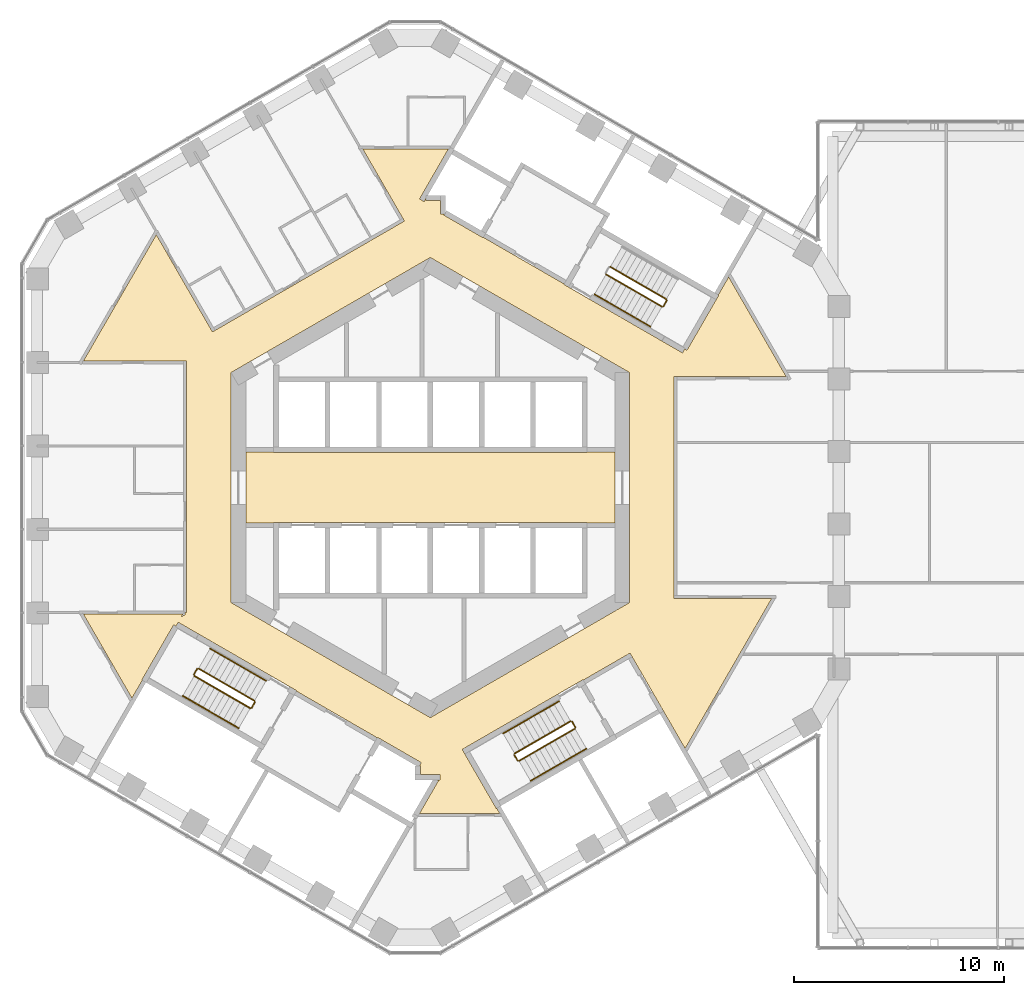
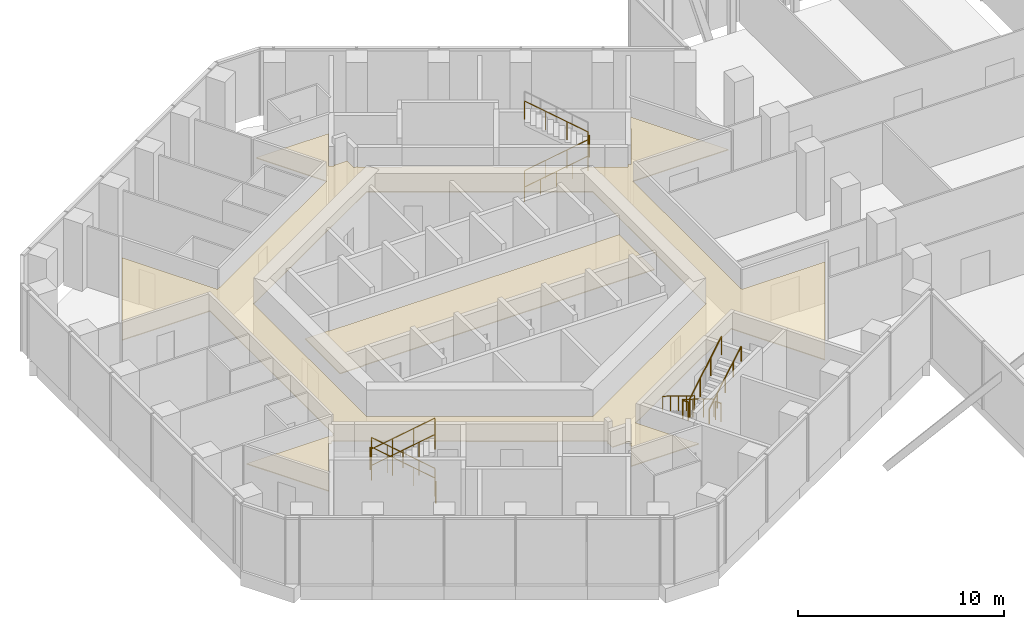
# One storey, part 23 of 24: 21 railings, 2 coverings.
"""IFC4 building model written with IfcOpenShell, lengths in metres."""

from ifc_helpers import new_model, si_unit, direction, frame, origin, origin_2d, place, context, subcontext, project, spatial, polyline, circle, outline, extrude, material, layer, layer_set, type_object, element, save


model = new_model("IFC4")

# Units and contexts
model_context = context("Model", 3, precision=1e-05, world=origin(), true_north=direction((0.0, 1.0)))
body_context = subcontext(model_context, "Body", "Model", "MODEL_VIEW")
ifc_project = project(units=[si_unit("LENGTHUNIT", "METRE"), si_unit("AREAUNIT", "SQUARE_METRE"), si_unit("VOLUMEUNIT", "CUBIC_METRE"), si_unit("PLANEANGLEUNIT", "RADIAN"), si_unit("MASSUNIT", "GRAM", prefix="KILO")], contexts=[model_context])

# Site, building, storey
site_placement = place(None, origin())
site = spatial("IfcSite", under=ifc_project, at=site_placement, CompositionType="ELEMENT")
building_placement = place(site_placement, origin())
building = spatial("IfcBuilding", under=site, at=building_placement, Name="Ayvan Gate Tower", CompositionType="ELEMENT")
storey_placement = place(building_placement, frame((0.0, 0.0, 124.5)))
storey = spatial("IfcBuildingStorey", under=building, at=storey_placement, Name="L33", CompositionType="ELEMENT", Elevation=124.5)

# Coverings
ifc_material_1 = material(Name="Plasterboard suspended ceiling")
ifc_layer = layer(ifc_material_1, 0.050048828125)
ifc_layer_set = layer_set([ifc_layer], Name="Plasterboard suspended ceiling")
covering_type = type_object("IfcCoveringType", Name="CT-SUSP-50", PredefinedType="CEILING", material=ifc_layer_set)
covering_1_placement = place(storey_placement, frame((0.0, 0.0, 2.39990234375)))
element("IfcCovering", 1, at=covering_1_placement, inside=storey, type_object=covering_type, Name="Ceiling Lift Lobby L33", PredefinedType="CEILING", context=body_context, shape_type="SweptSolid", body=[
    extrude(outline(polyline([(7.47509765625, -1.675048828125), (-7.47509765625, -1.675048828125), (-7.47509765625, -1.699951171875), (-8.800048828125, -1.699951171875), (-8.800048828125, 1.699951171875), (-7.47509765625, 1.699951171875), (-7.47509765625, 1.675048828125), (7.47509765625, 1.675048828125), (7.47509765625, 1.699951171875), (8.800048828125, 1.699951171875), (8.800048828125, -1.699951171875), (7.47509765625, -1.699951171875), (7.47509765625, -1.675048828125)])), origin(), (0.0, 0.0, 1.0), 0.050048828125),
])
covering_2_placement = place(storey_placement, frame((0.0, 0.0, 2.39990234375)))
element("IfcCovering", 2, at=covering_2_placement, inside=storey, type_object=covering_type, Name="Ceiling Ring Corridor L33", PredefinedType="CEILING", context=body_context, shape_type="SweptSolid", body=[
    extrude(outline(polyline([(-14.22802734375, -10.043701171875), (-16.541748046875, -6.0361328125), (-11.798828125, -6.0361328125), (-11.870849609375, -6.160888671875), (-11.699951171875, -6.062255859375), (-11.699951171875, -5.961181640625), (-11.625, -5.961181640625), (-11.625, 6.0361328125), (-16.541748046875, 6.0361328125), (-13.064697265625, 12.05859375), (-10.3896484375, 7.425048828125), (-10.277099609375, 7.489990234375), (-1.235595703125, 12.710205078125), (-1.300537109375, 12.82275390625), (-3.2177734375, 16.143798828125), (0.8623046875, 16.143798828125), (-0.511474609375, 13.76416015625), (-0.294921875, 13.63916015625), (-0.215576171875, 13.776611328125), (-0.215576171875, 13.68505859375), (0.47509765625, 13.68505859375), (0.47509765625, 13.03857421875), (0.672119140625, 13.03857421875), (0.645751953125, 12.992919921875), (2.518310546875, 11.91162109375), (2.53076171875, 11.933349609375), (6.384521484375, 9.70849609375), (6.3720703125, 9.686767578125), (6.588623046875, 9.561767578125), (11.03759765625, 6.9931640625), (12.02294921875, 6.42431640625), (12.130126953125, 6.60986328125), (12.23828125, 6.54736328125), (13.631103515625, 8.959716796875), (13.756103515625, 9.176513671875), (13.734619140625, 9.188720703125), (14.22802734375, 10.043701171875), (16.975341796875, 5.28515625), (11.625, 5.28515625), (11.625, -5.28515625), (16.28271484375, -5.28515625), (12.149658203125, -12.443603515625), (11.123779296875, -10.667236328125), (9.623779296875, -8.069091796875), (9.52392578125, -7.89599609375), (7.2939453125, -9.183349609375), (7.281494140625, -9.16162109375), (1.522216796875, -12.48681640625), (1.647216796875, -12.703369140625), (3.147216796875, -15.30126953125), (3.1689453125, -15.288818359375), (3.316162109375, -15.543701171875), (-0.51611328125, -15.543701171875), (0.386474609375, -13.980712890625), (0.30712890625, -13.93505859375), (0.465576171875, -13.93505859375), (0.465576171875, -13.68505859375), (-0.47509765625, -13.68505859375), (-0.47509765625, -13.28857421875), (-0.52783203125, -13.28857421875), (-0.42919921875, -13.117919921875), (-2.284423828125, -12.046630859375), (-2.518310546875, -11.91162109375), (-2.53076171875, -11.933349609375), (-6.384521484375, -9.70849609375), (-6.3720703125, -9.686767578125), (-11.03759765625, -6.9931640625), (-12.02294921875, -6.42431640625), (-12.130126953125, -6.60986328125), (-12.23828125, -6.54736328125), (-13.756103515625, -9.17626953125), (-13.734619140625, -9.188720703125), (-14.22802734375, -10.043701171875)]), holes=[polyline([(-8.771728515625, -5.9052734375), (0.0, -10.9697265625), (8.38720703125, -6.127197265625), (8.771728515625, -5.9052734375), (9.5, -5.48486328125), (9.5, 5.48486328125), (8.771728515625, 5.9052734375), (0.0, 10.9697265625), (-8.771728515625, 5.9052734375), (-9.5, 5.48486328125), (-9.5, -5.48486328125), (-8.771728515625, -5.9052734375)])]), origin(), (0.0, 0.0, 1.0), 0.050048828125),
])

# Railings
ifc_material_2 = material(Name="Stainless steel balustrade", Category="steel")
railing_type_1 = type_object("IfcRailingType", Name="RL-GUARD-1100", PredefinedType="GUARDRAIL", material=ifc_material_2)
railing_1_placement = place(storey_placement, frame((8.381103515625, 10.16650390625, 0.166748046875)))
element("IfcRailing", 3, at=railing_1_placement, inside=storey, type_object=railing_type_1, Name="L33 STS1 stair guard 1", PredefinedType="GUARDRAIL", context=body_context, shape_type="SweptSolid", body=[
    extrude(circle(Radius=0.02392578125, at=origin_2d()), frame((0.0, 0.0, 1.076171875), z_axis=(0.744189839504, -0.429649414936, 0.511451721109), x_axis=(0.499992328818, 0.866029832698, 0.0)), (0.0, 0.0, 1.0), 3.58447265625),
    extrude(circle(Radius=0.02099609375, at=origin_2d()), origin(), (0.0, 0.0, 1.0), 1.052001953125),
    extrude(circle(Radius=0.02099609375, at=origin_2d()), frame((0.88916015625, -0.513427734375, 0.611083984375)), (0.0, 0.0, 1.0), 1.052001953125),
    extrude(circle(Radius=0.02099609375, at=origin_2d()), frame((1.7783203125, -1.026611328125, 1.22216796875)), (0.0, 0.0, 1.0), 1.052001953125),
    extrude(circle(Radius=0.02099609375, at=origin_2d()), frame((2.66748046875, -1.5400390625, 1.833251953125)), (0.0, 0.0, 1.0), 1.052001953125),
])
railing_2_placement = place(storey_placement, frame((11.11669921875, 8.644775390625, 2.0)))
element("IfcRailing", 4, at=railing_2_placement, inside=storey, type_object=railing_type_1, Name="L33 STS1 stair guard 2", PredefinedType="GUARDRAIL", context=body_context, shape_type="SweptSolid", body=[
    extrude(circle(Radius=0.02392578125, at=origin_2d()), frame((0.0, 0.0, 1.076171875), z_axis=(0.499949632511, 0.866054481515, 0.0), x_axis=(-0.866054481515, 0.499949632511, 0.0)), (0.0, 0.0, 1.0), 0.31005859375),
    extrude(circle(Radius=0.02099609375, at=origin_2d()), origin(), (0.0, 0.0, 1.0), 1.052001953125),
    extrude(circle(Radius=0.02099609375, at=origin_2d()), frame((0.155029296875, 0.2685546875, 0.0)), (0.0, 0.0, 1.0), 1.052001953125),
])
railing_3_placement = place(storey_placement, frame((11.25341796875, 8.981689453125, 2.166748046875)))
element("IfcRailing", 5, at=railing_3_placement, inside=storey, type_object=railing_type_1, Name="L33 STS1 stair guard 3", PredefinedType="GUARDRAIL", context=body_context, shape_type="SweptSolid", body=[
    extrude(circle(Radius=0.02392578125, at=origin_2d()), frame((0.0, 0.0, 1.076171875), z_axis=(-0.74418122563, 0.429615651263, 0.511492615401), x_axis=(-0.499967199496, -0.866044340336, 0.0)), (0.0, 0.0, 1.0), 3.584228515625),
    extrude(circle(Radius=0.02099609375, at=origin_2d()), origin(), (0.0, 0.0, 1.0), 1.052001953125),
    extrude(circle(Radius=0.02099609375, at=origin_2d()), frame((-0.88916015625, 0.51318359375, 0.611083984375)), (0.0, 0.0, 1.0), 1.052001953125),
    extrude(circle(Radius=0.02099609375, at=origin_2d()), frame((-1.778076171875, 1.026611328125, 1.22216796875)), (0.0, 0.0, 1.0), 1.052001953125),
    extrude(circle(Radius=0.02099609375, at=origin_2d()), frame((-2.667236328125, 1.539794921875, 1.833251953125)), (0.0, 0.0, 1.0), 1.052001953125),
])
railing_4_placement = place(storey_placement, frame((-8.381103515625, -10.16650390625, 0.166748046875)))
element("IfcRailing", 6, at=railing_4_placement, inside=storey, type_object=railing_type_1, Name="L33 STS2 stair guard 1", PredefinedType="GUARDRAIL", context=body_context, shape_type="SweptSolid", body=[
    extrude(circle(Radius=0.02392578125, at=origin_2d()), frame((0.0, 0.0, 1.076171875), z_axis=(-0.744189839504, 0.429649414936, 0.511451721109), x_axis=(-0.499992328818, -0.866029832698, 0.0)), (0.0, 0.0, 1.0), 3.58447265625),
    extrude(circle(Radius=0.02099609375, at=origin_2d()), origin(), (0.0, 0.0, 1.0), 1.052001953125),
    extrude(circle(Radius=0.02099609375, at=origin_2d()), frame((-0.88916015625, 0.513427734375, 0.611083984375)), (0.0, 0.0, 1.0), 1.052001953125),
    extrude(circle(Radius=0.02099609375, at=origin_2d()), frame((-1.7783203125, 1.026611328125, 1.22216796875)), (0.0, 0.0, 1.0), 1.052001953125),
    extrude(circle(Radius=0.02099609375, at=origin_2d()), frame((-2.66748046875, 1.5400390625, 1.833251953125)), (0.0, 0.0, 1.0), 1.052001953125),
])
railing_5_placement = place(storey_placement, frame((-11.11669921875, -8.644775390625, 2.0)))
element("IfcRailing", 7, at=railing_5_placement, inside=storey, type_object=railing_type_1, Name="L33 STS2 stair guard 2", PredefinedType="GUARDRAIL", context=body_context, shape_type="SweptSolid", body=[
    extrude(circle(Radius=0.02392578125, at=origin_2d()), frame((0.0, 0.0, 1.076171875), z_axis=(-0.499949632511, -0.866054481515, 0.0), x_axis=(0.866054481515, -0.499949632511, 0.0)), (0.0, 0.0, 1.0), 0.31005859375),
    extrude(circle(Radius=0.02099609375, at=origin_2d()), origin(), (0.0, 0.0, 1.0), 1.052001953125),
    extrude(circle(Radius=0.02099609375, at=origin_2d()), frame((-0.155029296875, -0.2685546875, 0.0)), (0.0, 0.0, 1.0), 1.052001953125),
])
railing_6_placement = place(storey_placement, frame((-11.25341796875, -8.981689453125, 2.166748046875)))
element("IfcRailing", 8, at=railing_6_placement, inside=storey, type_object=railing_type_1, Name="L33 STS2 stair guard 3", PredefinedType="GUARDRAIL", context=body_context, shape_type="SweptSolid", body=[
    extrude(circle(Radius=0.02392578125, at=origin_2d()), frame((0.0, 0.0, 1.076171875), z_axis=(0.74418122563, -0.429615651263, 0.511492615401), x_axis=(0.499967199496, 0.866044340336, 0.0)), (0.0, 0.0, 1.0), 3.584228515625),
    extrude(circle(Radius=0.02099609375, at=origin_2d()), origin(), (0.0, 0.0, 1.0), 1.052001953125),
    extrude(circle(Radius=0.02099609375, at=origin_2d()), frame((0.88916015625, -0.51318359375, 0.611083984375)), (0.0, 0.0, 1.0), 1.052001953125),
    extrude(circle(Radius=0.02099609375, at=origin_2d()), frame((1.778076171875, -1.026611328125, 1.22216796875)), (0.0, 0.0, 1.0), 1.052001953125),
    extrude(circle(Radius=0.02099609375, at=origin_2d()), frame((2.667236328125, -1.539794921875, 1.833251953125)), (0.0, 0.0, 1.0), 1.052001953125),
])
railing_7_placement = place(storey_placement, frame((-8.36279296875, -10.23486328125, 0.0)))
element("IfcRailing", 9, at=railing_7_placement, inside=storey, type_object=railing_type_1, Name="L33 STS2 stair guard 4", PredefinedType="GUARDRAIL", context=body_context, shape_type="SweptSolid", body=[
    extrude(circle(Radius=0.02392578125, at=origin_2d()), frame((0.0, 0.0, 1.076171875), z_axis=(-0.500290723946, -0.86585748916, 0.0), x_axis=(0.86585748916, -0.500290723946, 0.0)), (0.0, 0.0, 1.0), 0.309814453125),
    extrude(circle(Radius=0.02099609375, at=origin_2d()), origin(), (0.0, 0.0, 1.0), 1.052001953125),
    extrude(circle(Radius=0.02099609375, at=origin_2d()), frame((-0.155029296875, -0.268310546875, 0.0)), (0.0, 0.0, 1.0), 1.052001953125),
])
railing_8_placement = place(storey_placement, frame((6.6923828125, -11.1416015625, 0.166748046875)))
element("IfcRailing", 10, at=railing_8_placement, inside=storey, type_object=railing_type_1, Name="L33 STS3 stair guard 1", PredefinedType="GUARDRAIL", context=body_context, shape_type="SweptSolid", body=[
    extrude(circle(Radius=0.02392578125, at=origin_2d()), frame((0.0, 0.0, 1.076171875), z_axis=(-0.744211616859, -0.429593874019, 0.511466687808), x_axis=(0.499932877268, -0.866064153644, 0.0)), (0.0, 0.0, 1.0), 3.584228515625),
    extrude(circle(Radius=0.02099609375, at=origin_2d()), origin(), (0.0, 0.0, 1.0), 1.052001953125),
    extrude(circle(Radius=0.02099609375, at=origin_2d()), frame((-0.88916015625, -0.51318359375, 0.611083984375)), (0.0, 0.0, 1.0), 1.052001953125),
    extrude(circle(Radius=0.02099609375, at=origin_2d()), frame((-1.7783203125, -1.026611328125, 1.22216796875)), (0.0, 0.0, 1.0), 1.052001953125),
    extrude(circle(Radius=0.02099609375, at=origin_2d()), frame((-2.66748046875, -1.539794921875, 1.833251953125)), (0.0, 0.0, 1.0), 1.052001953125),
])
railing_9_placement = place(storey_placement, frame((4.006591796875, -12.749755859375, 2.0)))
element("IfcRailing", 11, at=railing_9_placement, inside=storey, type_object=railing_type_1, Name="L33 STS3 stair guard 2", PredefinedType="GUARDRAIL", context=body_context, shape_type="SweptSolid", body=[
    extrude(circle(Radius=0.02392578125, at=origin_2d()), frame((0.0, 0.0, 1.076171875), z_axis=(0.499949632511, -0.866054481515, 0.0), x_axis=(0.866054481515, 0.499949632511, 0.0)), (0.0, 0.0, 1.0), 0.31005859375),
    extrude(circle(Radius=0.02099609375, at=origin_2d()), origin(), (0.0, 0.0, 1.0), 1.052001953125),
    extrude(circle(Radius=0.02099609375, at=origin_2d()), frame((0.155029296875, -0.2685546875, 0.0)), (0.0, 0.0, 1.0), 1.052001953125),
])
railing_10_placement = place(storey_placement, frame((4.22998046875, -13.03662109375, 2.166748046875)))
element("IfcRailing", 12, at=railing_10_placement, inside=storey, type_object=railing_type_1, Name="L33 STS3 stair guard 3", PredefinedType="GUARDRAIL", context=body_context, shape_type="SweptSolid", body=[
    extrude(circle(Radius=0.02392578125, at=origin_2d()), frame((0.0, 0.0, 1.076171875), z_axis=(0.744189839504, 0.429649414936, 0.511451721109), x_axis=(-0.499992328818, 0.866029832698, 0.0)), (0.0, 0.0, 1.0), 3.58447265625),
    extrude(circle(Radius=0.02099609375, at=origin_2d()), origin(), (0.0, 0.0, 1.0), 1.052001953125),
    extrude(circle(Radius=0.02099609375, at=origin_2d()), frame((0.88916015625, 0.513427734375, 0.611083984375)), (0.0, 0.0, 1.0), 1.052001953125),
    extrude(circle(Radius=0.02099609375, at=origin_2d()), frame((1.7783203125, 1.026611328125, 1.22216796875)), (0.0, 0.0, 1.0), 1.052001953125),
    extrude(circle(Radius=0.02099609375, at=origin_2d()), frame((2.66748046875, 1.5400390625, 1.833251953125)), (0.0, 0.0, 1.0), 1.052001953125),
])
railing_11_placement = place(storey_placement, frame((6.7607421875, -11.159912109375, 0.0)))
element("IfcRailing", 13, at=railing_11_placement, inside=storey, type_object=railing_type_1, Name="L33 STS3 stair guard 4", PredefinedType="GUARDRAIL", context=body_context, shape_type="SweptSolid", body=[
    extrude(circle(Radius=0.02392578125, at=origin_2d()), frame((0.0, 0.0, 1.076171875), z_axis=(0.500290723946, -0.86585748916, 0.0), x_axis=(0.86585748916, 0.500290723946, 0.0)), (0.0, 0.0, 1.0), 0.309814453125),
    extrude(circle(Radius=0.02099609375, at=origin_2d()), origin(), (0.0, 0.0, 1.0), 1.052001953125),
    extrude(circle(Radius=0.02099609375, at=origin_2d()), frame((0.155029296875, -0.268310546875, 0.0)), (0.0, 0.0, 1.0), 1.052001953125),
])
railing_type_2 = type_object("IfcRailingType", Name="RL-HANDRAIL-900", PredefinedType="HANDRAIL", material=ifc_material_2)
railing_12_placement = place(storey_placement, frame((7.8310546875, 9.2138671875, 0.166748046875)))
element("IfcRailing", 14, at=railing_12_placement, inside=storey, type_object=railing_type_2, Name="L33 STS1 stair handrail 1", PredefinedType="HANDRAIL", context=body_context, shape_type="SweptSolid", body=[
    extrude(circle(Radius=0.02392578125, at=origin_2d()), frame((0.0, 0.0, 0.8759765625), z_axis=(0.744215763664, -0.42966438195, 0.511401423539), x_axis=(0.499992328818, 0.866029832698, 0.0)), (0.0, 0.0, 1.0), 1.792236328125),
    extrude(circle(Radius=0.02099609375, at=origin_2d()), origin(), (0.0, 0.0, 1.0), 0.851806640625),
    extrude(circle(Radius=0.02099609375, at=origin_2d()), frame((0.6669921875, -0.385009765625, 0.458251953125)), (0.0, 0.0, 1.0), 0.851806640625),
    extrude(circle(Radius=0.02099609375, at=origin_2d()), frame((1.333740234375, -0.77001953125, 0.91650390625)), (0.0, 0.0, 1.0), 0.851806640625),
])
railing_13_placement = place(storey_placement, frame((9.164794921875, 8.44384765625, 1.083251953125)))
element("IfcRailing", 15, at=railing_13_placement, inside=storey, type_object=railing_type_2, Name="L33 STS1 stair handrail 2", PredefinedType="HANDRAIL", context=body_context, shape_type="SweptSolid", body=[
    extrude(circle(Radius=0.02392578125, at=origin_2d()), frame((0.0, 0.0, 0.8759765625), z_axis=(0.7441639146, -0.429634447492, 0.511502013422), x_axis=(0.499992328818, 0.866029832698, 0.0)), (0.0, 0.0, 1.0), 1.792236328125),
    extrude(circle(Radius=0.02099609375, at=origin_2d()), origin(), (0.0, 0.0, 1.0), 0.851806640625),
    extrude(circle(Radius=0.02099609375, at=origin_2d()), frame((0.6669921875, -0.385009765625, 0.45849609375)), (0.0, 0.0, 1.0), 0.851806640625),
    extrude(circle(Radius=0.02099609375, at=origin_2d()), frame((1.333740234375, -0.77001953125, 0.916748046875)), (0.0, 0.0, 1.0), 0.851806640625),
])
railing_14_placement = place(storey_placement, frame((-7.8310546875, -9.2138671875, 0.166748046875)))
element("IfcRailing", 16, at=railing_14_placement, inside=storey, type_object=railing_type_2, Name="L33 STS2 stair handrail 1", PredefinedType="HANDRAIL", context=body_context, shape_type="SweptSolid", body=[
    extrude(circle(Radius=0.02392578125, at=origin_2d()), frame((0.0, 0.0, 0.8759765625), z_axis=(-0.744215763664, 0.42966438195, 0.511401423539), x_axis=(-0.499992328818, -0.866029832698, 0.0)), (0.0, 0.0, 1.0), 1.792236328125),
    extrude(circle(Radius=0.02099609375, at=origin_2d()), origin(), (0.0, 0.0, 1.0), 0.851806640625),
    extrude(circle(Radius=0.02099609375, at=origin_2d()), frame((-0.6669921875, 0.385009765625, 0.458251953125)), (0.0, 0.0, 1.0), 0.851806640625),
    extrude(circle(Radius=0.02099609375, at=origin_2d()), frame((-1.333740234375, 0.77001953125, 0.91650390625)), (0.0, 0.0, 1.0), 0.851806640625),
])
railing_15_placement = place(storey_placement, frame((-9.164794921875, -8.44384765625, 1.083251953125)))
element("IfcRailing", 17, at=railing_15_placement, inside=storey, type_object=railing_type_2, Name="L33 STS2 stair handrail 2", PredefinedType="HANDRAIL", context=body_context, shape_type="SweptSolid", body=[
    extrude(circle(Radius=0.02392578125, at=origin_2d()), frame((0.0, 0.0, 0.8759765625), z_axis=(-0.7441639146, 0.429634447492, 0.511502013422), x_axis=(-0.499992328818, -0.866029832698, 0.0)), (0.0, 0.0, 1.0), 1.792236328125),
    extrude(circle(Radius=0.02099609375, at=origin_2d()), origin(), (0.0, 0.0, 1.0), 0.851806640625),
    extrude(circle(Radius=0.02099609375, at=origin_2d()), frame((-0.6669921875, 0.385009765625, 0.45849609375)), (0.0, 0.0, 1.0), 0.851806640625),
    extrude(circle(Radius=0.02099609375, at=origin_2d()), frame((-1.333740234375, 0.77001953125, 0.916748046875)), (0.0, 0.0, 1.0), 0.851806640625),
])
railing_16_placement = place(storey_placement, frame((-11.803466796875, -9.93408203125, 2.166748046875)))
element("IfcRailing", 18, at=railing_16_placement, inside=storey, type_object=railing_type_2, Name="L33 STS2 stair handrail 3", PredefinedType="HANDRAIL", context=body_context, shape_type="SweptSolid", body=[
    extrude(circle(Radius=0.02392578125, at=origin_2d()), frame((0.0, 0.0, 0.8759765625), z_axis=(0.744215763664, -0.42966438195, 0.511401423539), x_axis=(0.499992328818, 0.866029832698, 0.0)), (0.0, 0.0, 1.0), 1.792236328125),
    extrude(circle(Radius=0.02099609375, at=origin_2d()), origin(), (0.0, 0.0, 1.0), 0.851806640625),
    extrude(circle(Radius=0.02099609375, at=origin_2d()), frame((0.6669921875, -0.385009765625, 0.458251953125)), (0.0, 0.0, 1.0), 0.851806640625),
    extrude(circle(Radius=0.02099609375, at=origin_2d()), frame((1.333740234375, -0.77001953125, 0.91650390625)), (0.0, 0.0, 1.0), 0.851806640625),
])
railing_17_placement = place(storey_placement, frame((-10.4697265625, -10.7041015625, 3.083251953125)))
element("IfcRailing", 19, at=railing_17_placement, inside=storey, type_object=railing_type_2, Name="L33 STS2 stair handrail 4", PredefinedType="HANDRAIL", context=body_context, shape_type="SweptSolid", body=[
    extrude(circle(Radius=0.02392578125, at=origin_2d()), frame((0.0, 0.0, 0.8759765625), z_axis=(0.7441639146, -0.429634447492, 0.511502013422), x_axis=(0.499992328818, 0.866029832698, 0.0)), (0.0, 0.0, 1.0), 1.792236328125),
    extrude(circle(Radius=0.02099609375, at=origin_2d()), origin(), (0.0, 0.0, 1.0), 0.851806640625),
    extrude(circle(Radius=0.02099609375, at=origin_2d()), frame((0.6669921875, -0.385009765625, 0.45849609375)), (0.0, 0.0, 1.0), 0.851806640625),
    extrude(circle(Radius=0.02099609375, at=origin_2d()), frame((1.333740234375, -0.77001953125, 0.916748046875)), (0.0, 0.0, 1.0), 0.851806640625),
])
railing_18_placement = place(storey_placement, frame((6.142333984375, -10.18896484375, 0.166748046875)))
element("IfcRailing", 20, at=railing_18_placement, inside=storey, type_object=railing_type_2, Name="L33 STS3 stair handrail 1", PredefinedType="HANDRAIL", context=body_context, shape_type="SweptSolid", body=[
    extrude(circle(Radius=0.02392578125, at=origin_2d()), frame((0.0, 0.0, 0.8759765625), z_axis=(-0.744215763664, -0.42966438195, 0.511401423539), x_axis=(0.499992328818, -0.866029832698, 0.0)), (0.0, 0.0, 1.0), 1.792236328125),
    extrude(circle(Radius=0.02099609375, at=origin_2d()), origin(), (0.0, 0.0, 1.0), 0.851806640625),
    extrude(circle(Radius=0.02099609375, at=origin_2d()), frame((-0.6669921875, -0.385009765625, 0.458251953125)), (0.0, 0.0, 1.0), 0.851806640625),
    extrude(circle(Radius=0.02099609375, at=origin_2d()), frame((-1.333740234375, -0.77001953125, 0.91650390625)), (0.0, 0.0, 1.0), 0.851806640625),
])
railing_19_placement = place(storey_placement, frame((4.80859375, -10.958984375, 1.083251953125)))
element("IfcRailing", 21, at=railing_19_placement, inside=storey, type_object=railing_type_2, Name="L33 STS3 stair handrail 2", PredefinedType="HANDRAIL", context=body_context, shape_type="SweptSolid", body=[
    extrude(circle(Radius=0.02392578125, at=origin_2d()), frame((0.0, 0.0, 0.8759765625), z_axis=(-0.744146675635, -0.429566911072, 0.511583809412), x_axis=(0.499942064311, -0.866058850386, 0.0)), (0.0, 0.0, 1.0), 1.7919921875),
    extrude(circle(Radius=0.02099609375, at=origin_2d()), origin(), (0.0, 0.0, 1.0), 0.851806640625),
    extrude(circle(Radius=0.02099609375, at=origin_2d()), frame((-0.666748046875, -0.384765625, 0.45849609375)), (0.0, 0.0, 1.0), 0.851806640625),
    extrude(circle(Radius=0.02099609375, at=origin_2d()), frame((-1.33349609375, -0.769775390625, 0.916748046875)), (0.0, 0.0, 1.0), 0.851806640625),
])
railing_20_placement = place(storey_placement, frame((4.780029296875, -13.9892578125, 2.166748046875)))
element("IfcRailing", 22, at=railing_20_placement, inside=storey, type_object=railing_type_2, Name="L33 STS3 stair handrail 3", PredefinedType="HANDRAIL", context=body_context, shape_type="SweptSolid", body=[
    extrude(circle(Radius=0.02392578125, at=origin_2d()), frame((0.0, 0.0, 0.8759765625), z_axis=(0.744215763664, 0.42966438195, 0.511401423539), x_axis=(-0.499992328818, 0.866029832698, 0.0)), (0.0, 0.0, 1.0), 1.792236328125),
    extrude(circle(Radius=0.02099609375, at=origin_2d()), origin(), (0.0, 0.0, 1.0), 0.851806640625),
    extrude(circle(Radius=0.02099609375, at=origin_2d()), frame((0.6669921875, 0.385009765625, 0.458251953125)), (0.0, 0.0, 1.0), 0.851806640625),
    extrude(circle(Radius=0.02099609375, at=origin_2d()), frame((1.333740234375, 0.77001953125, 0.91650390625)), (0.0, 0.0, 1.0), 0.851806640625),
])
railing_21_placement = place(storey_placement, frame((6.11376953125, -13.21923828125, 3.083251953125)))
element("IfcRailing", 23, at=railing_21_placement, inside=storey, type_object=railing_type_2, Name="L33 STS3 stair handrail 4", PredefinedType="HANDRAIL", context=body_context, shape_type="SweptSolid", body=[
    extrude(circle(Radius=0.02392578125, at=origin_2d()), frame((0.0, 0.0, 0.8759765625), z_axis=(0.744103121745, 0.429678001828, 0.51155386711), x_axis=(-0.500060979923, 0.865990194147, 0.0)), (0.0, 0.0, 1.0), 1.7919921875),
    extrude(circle(Radius=0.02099609375, at=origin_2d()), origin(), (0.0, 0.0, 1.0), 0.851806640625),
    extrude(circle(Radius=0.02099609375, at=origin_2d()), frame((0.666748046875, 0.385009765625, 0.45849609375)), (0.0, 0.0, 1.0), 0.851806640625),
    extrude(circle(Radius=0.02099609375, at=origin_2d()), frame((1.33349609375, 0.77001953125, 0.916748046875)), (0.0, 0.0, 1.0), 0.851806640625),
])

save(model, "model.ifc")
